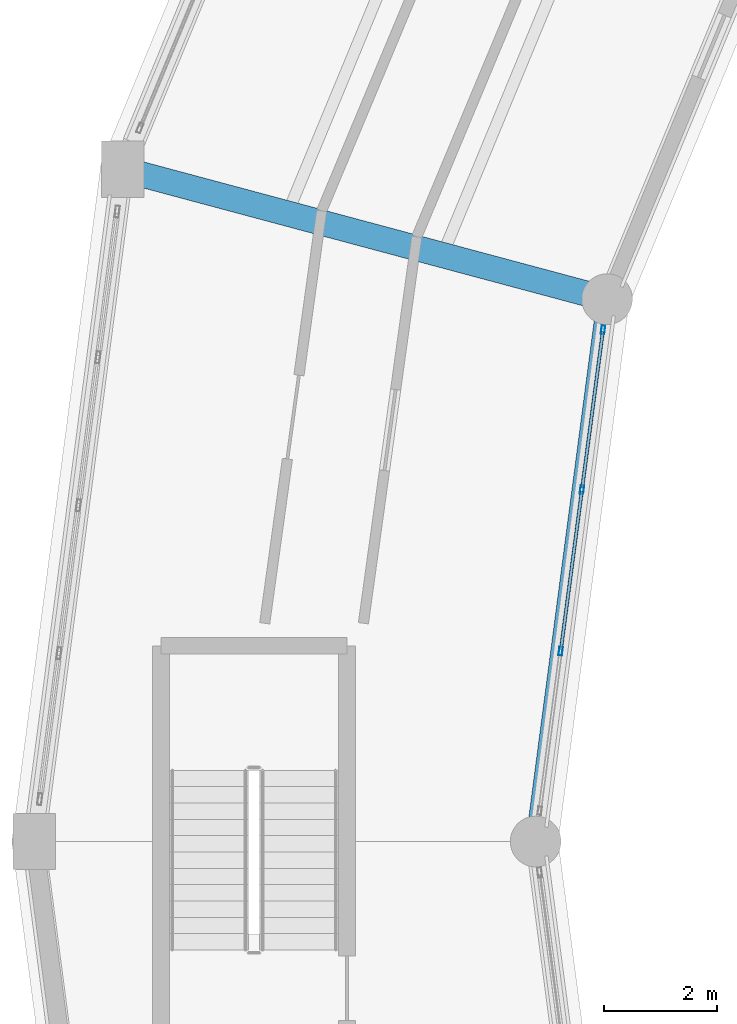
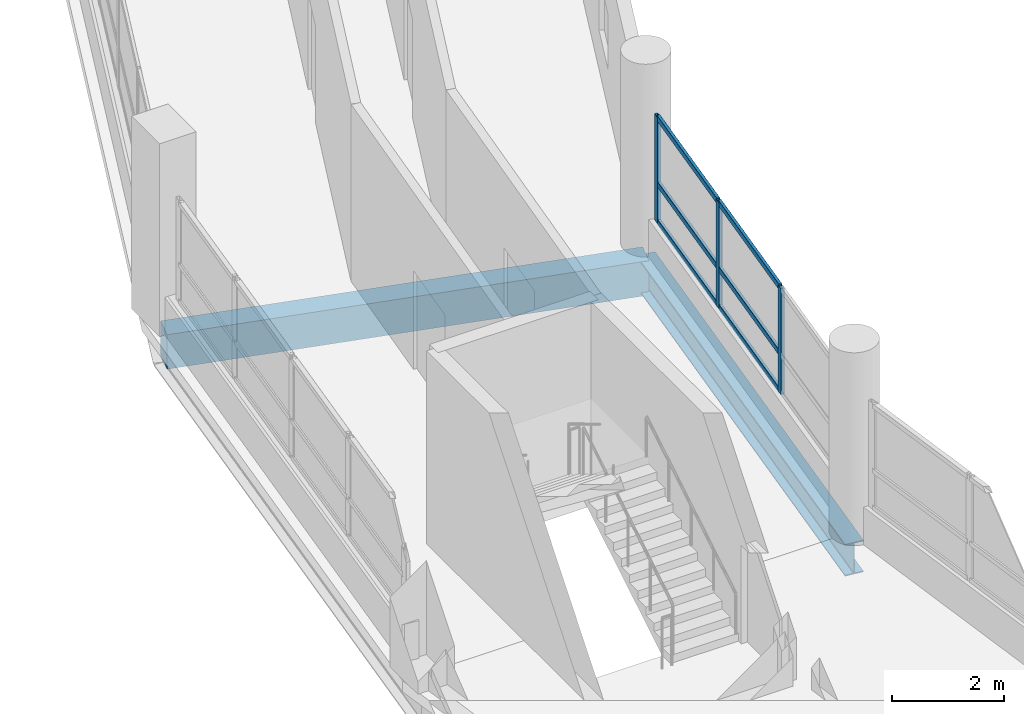
# One storey, part 47 of 128: 9 members, 2 beams, 1 element without a shape of its own.
"""IFC4 building model written with IfcOpenShell, lengths in metres."""

from ifc_helpers import new_model, si_unit, direction, frame, origin, origin_2d, place, context, subcontext, project, spatial, rectangle, hollow_rectangle, i_section, extrude, material, layer, layer_set, material_profile, profile_set, type_object, element, aggregate, save


model = new_model("IFC4")

# Units and contexts
model_context = context("Model", 3, precision=1e-05, world=origin(), true_north=direction((0.0, 1.0)))
body_context = subcontext(model_context, "Body", "Model", "MODEL_VIEW")
ifc_project = project(units=[si_unit("LENGTHUNIT", "METRE"), si_unit("AREAUNIT", "SQUARE_METRE"), si_unit("VOLUMEUNIT", "CUBIC_METRE"), si_unit("PLANEANGLEUNIT", "RADIAN"), si_unit("MASSUNIT", "GRAM", prefix="KILO")], contexts=[model_context])

# Site, building, storey
site_placement = place(None, origin())
site = spatial("IfcSite", under=ifc_project, at=site_placement, CompositionType="ELEMENT")
building_placement = place(site_placement, origin())
building = spatial("IfcBuilding", under=site, at=building_placement, Name="Vespera Passage Community Centre", CompositionType="ELEMENT")
storey_placement = place(building_placement, frame((0.0, 0.0, 4.5)))
storey = spatial("IfcBuildingStorey", under=building, at=storey_placement, Name="L01", CompositionType="ELEMENT", Elevation=4.5)

# Beams
ifc_material_1 = material(Name="Concrete f'c 35 MPa", Category="concrete")
ifc_material_profile_1 = material_profile(ifc_material_1, rectangle(XDim=0.449951171875, YDim=0.75, at=origin_2d()), Name="RC450X750")
ifc_profile_set_1 = profile_set([ifc_material_profile_1], Name="Concrete f'c 35 MPa")
beam_type_1 = type_object("IfcBeamType", Name="BM-G-450X750", PredefinedType="BEAM", material=ifc_profile_set_1)
beam_1_placement = place(storey_placement, frame((42.067626953125, 75.128173828125, -0.614990234375), z_axis=(-0.9659278487, 0.258811497245, 0.0), x_axis=(-0.258811497245, -0.9659278487, 0.0)))
element("IfcBeam", 1, at=beam_1_placement, inside=storey, type_object=beam_type_1, Name="V4 L01 Radial Girder 11", PredefinedType="BEAM", context=body_context, shape_type="SweptSolid", body=[
    extrude(rectangle(XDim=0.449951171875, YDim=0.75, at=origin_2d()), origin(), (0.0, 0.0, 1.0), 8.900146484375),
])
ifc_material_2 = material(Name="Steel ASTM A992 Grade 50", Category="steel")
ifc_material_profile_2 = material_profile(ifc_material_2, i_section(OverallWidth=0.3544921875, OverallDepth=0.695556640625, WebThickness=0.015380859375, FlangeThickness=0.024658203125, FilletRadius=0.01513671875, at=origin_2d()), Name="W27X146")
ifc_profile_set_2 = profile_set([ifc_material_profile_2], Name="Steel ASTM A992 Grade 50")
beam_type_2 = type_object("IfcBeamType", Name="BM-SP-W27X146E", PredefinedType="SPANDREL", material=ifc_profile_set_2)
beam_2_placement = place(storey_placement, frame((42.067626953125, 75.128173828125, -0.587890625), z_axis=(-0.130526697639, -0.991444794834, 0.0), x_axis=(0.991444794834, -0.130526697639, 0.0)))
element("IfcBeam", 2, at=beam_2_placement, inside=storey, type_object=beam_type_2, Name="V4 L01 Inner Spandrel 11", PredefinedType="SPANDREL", context=body_context, shape_type="SweptSolid", body=[
    extrude(i_section(OverallWidth=0.3544921875, OverallDepth=0.695556640625, WebThickness=0.015380859375, FlangeThickness=0.024658203125, FilletRadius=0.01513671875, at=origin_2d()), origin(), (0.0, 0.0, 1.0), 9.711181640625),
])

# Curtain wall, members
ifc_material_3 = material(Name="Anodized aluminium 6063-T6", Category="aluminium")
ifc_layer = layer(ifc_material_3, 0.159912109375)
ifc_layer_set = layer_set([ifc_layer], Name="Anodized aluminium 6063-T6")
curtain_wall_type = type_object("IfcCurtainWallType", Name="CW-14E", PredefinedType="NOTDEFINED", material=ifc_layer_set)
curtain_wall_placement = place(storey_placement, origin())
curtain_wall = element("IfcCurtainWall", 3, at=curtain_wall_placement, inside=storey, type_object=curtain_wall_type, Name="V4 L01 Inner Court Curtain Wall 11", PredefinedType="NOTDEFINED")
ifc_material_4 = material(Name="Anodized aluminium 6063-T6", Category="aluminium")
ifc_material_profile_3 = material_profile(ifc_material_4, hollow_rectangle(XDim=0.06494140625, YDim=0.14990234375, WallThickness=0.00390625, InnerFilletRadius=0.001953125, OuterFilletRadius=0.00390625, at=origin_2d()), Name="ALU150X65X4")
ifc_profile_set_3 = profile_set([ifc_material_profile_3], Name="Anodized aluminium 6063-T6")
member_type_1 = type_object("IfcMemberType", Name="MB-CWM-150E", PredefinedType="MULLION", material=ifc_profile_set_3)
member_1_placement = place(storey_placement, frame((41.995849609375, 74.582763671875, 0.820068359375), z_axis=(0.0, 0.0, 1.0), x_axis=(0.991445387728, -0.1305221941, 0.0)))
member_1 = element("IfcMember", 4, at=member_1_placement, type_object=member_type_1, Name="CW-14E mullion 1", PredefinedType="MULLION", context=body_context, shape_type="SweptSolid", body=[
    extrude(hollow_rectangle(XDim=0.06494140625, YDim=0.14990234375, WallThickness=0.00390625, InnerFilletRadius=0.001953125, OuterFilletRadius=0.00390625, at=origin_2d()), origin(), (0.0, 0.0, 1.0), 2.309326171875),
])
member_2_placement = place(storey_placement, frame((41.62255859375, 71.74755859375, 0.820068359375), z_axis=(0.0, 0.0, 1.0), x_axis=(0.991445387728, -0.1305221941, 0.0)))
member_2 = element("IfcMember", 5, at=member_2_placement, type_object=member_type_1, Name="CW-14E mullion 2", PredefinedType="MULLION", context=body_context, shape_type="SweptSolid", body=[
    extrude(hollow_rectangle(XDim=0.06494140625, YDim=0.14990234375, WallThickness=0.00390625, InnerFilletRadius=0.001953125, OuterFilletRadius=0.00390625, at=origin_2d()), origin(), (0.0, 0.0, 1.0), 2.309326171875),
])
member_3_placement = place(storey_placement, frame((41.2451171875, 68.88037109375, 0.820068359375), z_axis=(0.0, 0.0, 1.0), x_axis=(0.991445387728, -0.1305221941, 0.0)))
member_3 = element("IfcMember", 6, at=member_3_placement, type_object=member_type_1, Name="CW-14E mullion 3", PredefinedType="MULLION", context=body_context, shape_type="SweptSolid", body=[
    extrude(hollow_rectangle(XDim=0.06494140625, YDim=0.14990234375, WallThickness=0.00390625, InnerFilletRadius=0.001953125, OuterFilletRadius=0.00390625, at=origin_2d()), origin(), (0.0, 0.0, 1.0), 2.309326171875),
])
ifc_material_5 = material(Name="Anodized aluminium 6063-T6", Category="aluminium")
ifc_material_profile_4 = material_profile(ifc_material_5, hollow_rectangle(XDim=0.06005859375, YDim=0.1201171875, WallThickness=0.00390625, InnerFilletRadius=0.001953125, OuterFilletRadius=0.00390625, at=origin_2d()), Name="ALU120X60X4")
ifc_profile_set_4 = profile_set([ifc_material_profile_4], Name="Anodized aluminium 6063-T6")
member_type_2 = type_object("IfcMemberType", Name="MB-CWT-120E", PredefinedType="USERDEFINED", material=ifc_profile_set_4)
member_4_placement = place(storey_placement, frame((41.991455078125, 74.550537109375, 0.85009765625), z_axis=(-0.130515527399, -0.991446265366, 0.0), x_axis=(0.991446265366, -0.130515527399, 0.0)))
member_4 = element("IfcMember", 7, at=member_4_placement, type_object=member_type_2, Name="CW-14E transom 1.1", ObjectType="TRANSOM", PredefinedType="USERDEFINED", context=body_context, shape_type="SweptSolid", body=[
    extrude(hollow_rectangle(XDim=0.06005859375, YDim=0.1201171875, WallThickness=0.00390625, InnerFilletRadius=0.001953125, OuterFilletRadius=0.00390625, at=origin_2d()), origin(), (0.0, 0.0, 1.0), 2.794677734375),
])
member_5_placement = place(storey_placement, frame((41.991455078125, 74.550537109375, 1.669921875), z_axis=(-0.130515527399, -0.991446265366, 0.0), x_axis=(0.991446265366, -0.130515527399, 0.0)))
member_5 = element("IfcMember", 8, at=member_5_placement, type_object=member_type_2, Name="CW-14E transom 1.2", ObjectType="TRANSOM", PredefinedType="USERDEFINED", context=body_context, shape_type="SweptSolid", body=[
    extrude(hollow_rectangle(XDim=0.06005859375, YDim=0.1201171875, WallThickness=0.00390625, InnerFilletRadius=0.001953125, OuterFilletRadius=0.00390625, at=origin_2d()), origin(), (0.0, 0.0, 1.0), 2.794677734375),
])
member_6_placement = place(storey_placement, frame((41.991455078125, 74.550537109375, 3.099609375), z_axis=(-0.130515527399, -0.991446265366, 0.0), x_axis=(0.991446265366, -0.130515527399, 0.0)))
member_6 = element("IfcMember", 9, at=member_6_placement, type_object=member_type_2, Name="CW-14E transom 1.3", ObjectType="TRANSOM", PredefinedType="USERDEFINED", context=body_context, shape_type="SweptSolid", body=[
    extrude(hollow_rectangle(XDim=0.06005859375, YDim=0.1201171875, WallThickness=0.00390625, InnerFilletRadius=0.001953125, OuterFilletRadius=0.00390625, at=origin_2d()), origin(), (0.0, 0.0, 1.0), 2.794677734375),
])
member_7_placement = place(storey_placement, frame((41.618408203125, 71.71533203125, 0.85009765625), z_axis=(-0.130579616175, -0.991437826512, 0.0), x_axis=(0.991437826512, -0.130579616175, 0.0)))
member_7 = element("IfcMember", 10, at=member_7_placement, type_object=member_type_2, Name="CW-14E transom 2.1", ObjectType="TRANSOM", PredefinedType="USERDEFINED", context=body_context, shape_type="SweptSolid", body=[
    extrude(hollow_rectangle(XDim=0.06005859375, YDim=0.1201171875, WallThickness=0.00390625, InnerFilletRadius=0.001953125, OuterFilletRadius=0.00390625, at=origin_2d()), origin(), (0.0, 0.0, 1.0), 2.826904296875),
])
member_8_placement = place(storey_placement, frame((41.618408203125, 71.71533203125, 1.669921875), z_axis=(-0.130579616175, -0.991437826512, 0.0), x_axis=(0.991437826512, -0.130579616175, 0.0)))
member_8 = element("IfcMember", 11, at=member_8_placement, type_object=member_type_2, Name="CW-14E transom 2.2", ObjectType="TRANSOM", PredefinedType="USERDEFINED", context=body_context, shape_type="SweptSolid", body=[
    extrude(hollow_rectangle(XDim=0.06005859375, YDim=0.1201171875, WallThickness=0.00390625, InnerFilletRadius=0.001953125, OuterFilletRadius=0.00390625, at=origin_2d()), origin(), (0.0, 0.0, 1.0), 2.826904296875),
])
member_9_placement = place(storey_placement, frame((41.618408203125, 71.71533203125, 3.099609375), z_axis=(-0.130579616175, -0.991437826512, 0.0), x_axis=(0.991437826512, -0.130579616175, 0.0)))
member_9 = element("IfcMember", 12, at=member_9_placement, type_object=member_type_2, Name="CW-14E transom 2.3", ObjectType="TRANSOM", PredefinedType="USERDEFINED", context=body_context, shape_type="SweptSolid", body=[
    extrude(hollow_rectangle(XDim=0.06005859375, YDim=0.1201171875, WallThickness=0.00390625, InnerFilletRadius=0.001953125, OuterFilletRadius=0.00390625, at=origin_2d()), origin(), (0.0, 0.0, 1.0), 2.826904296875),
])
aggregate(curtain_wall, [member_1, member_2, member_3, member_4, member_5, member_6, member_7, member_8, member_9])

save(model, "model.ifc")
